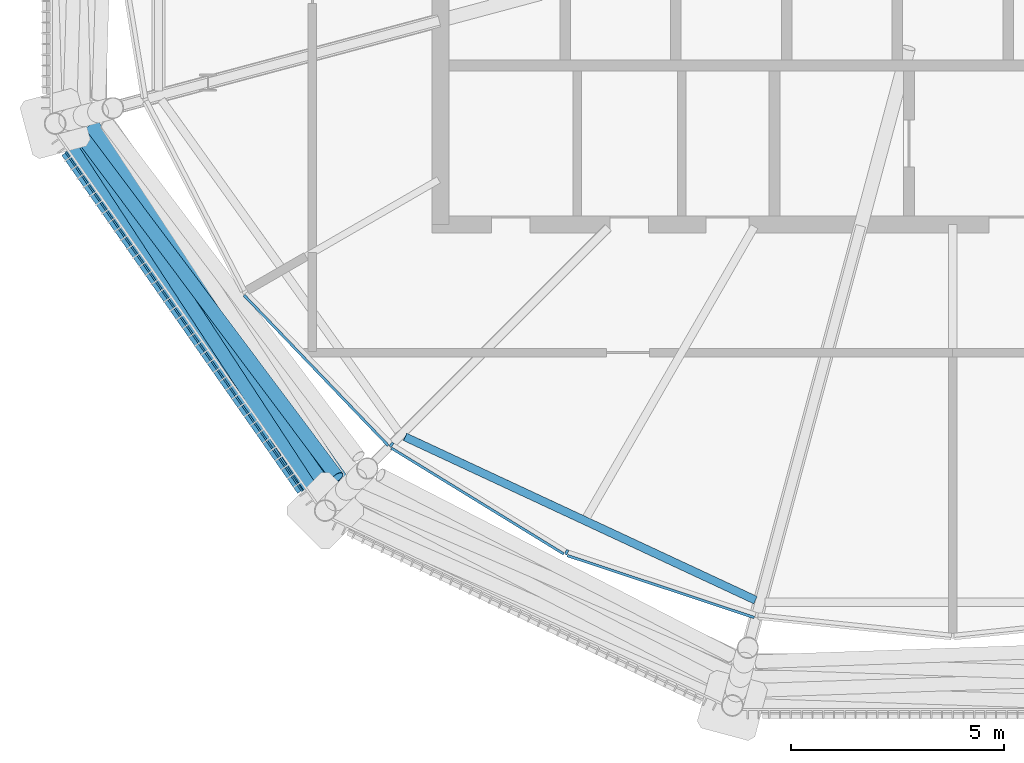
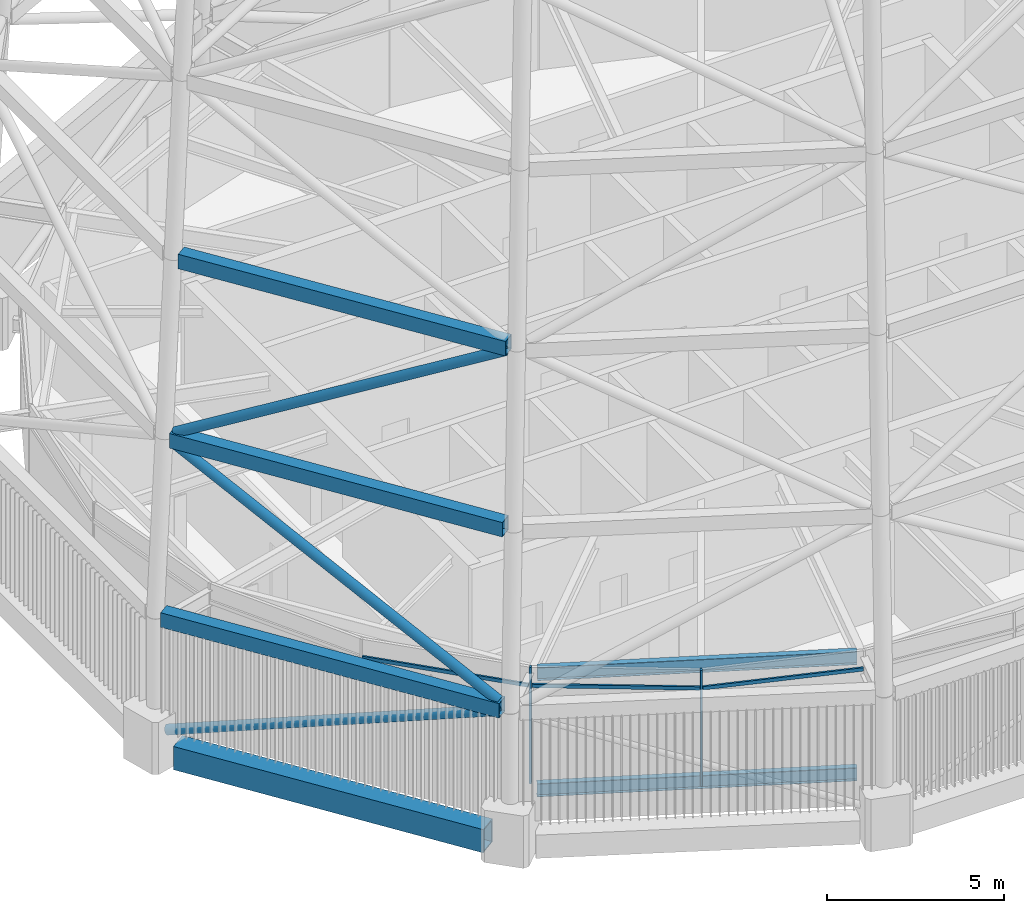
# One storey, part 4 of 71: 8 members, 6 beams, 1 element without a shape of its own.
"""IFC4 building model written with IfcOpenShell, lengths in metres."""

from ifc_helpers import new_model, si_unit, direction, frame, origin, origin_2d, place, context, subcontext, project, spatial, rectangle, hollow_rectangle, hollow_circle, i_section, extrude, material, material_profile, profile_set, type_object, element, aggregate, save


model = new_model("IFC4")

# Units and contexts
model_context = context("Model", 3, precision=1e-05, world=origin(), true_north=direction((0.0, 1.0)))
body_context = subcontext(model_context, "Body", "Model", "MODEL_VIEW")
ifc_project = project(units=[si_unit("LENGTHUNIT", "METRE"), si_unit("AREAUNIT", "SQUARE_METRE"), si_unit("VOLUMEUNIT", "CUBIC_METRE"), si_unit("PLANEANGLEUNIT", "RADIAN"), si_unit("MASSUNIT", "GRAM", prefix="KILO")], contexts=[model_context])

# Site, building, storey
site_placement = place(None, origin())
site = spatial("IfcSite", under=ifc_project, at=site_placement, CompositionType="ELEMENT")
building_placement = place(site_placement, origin())
building = spatial("IfcBuilding", under=site, at=building_placement, Name="Rimbun Link Towers", CompositionType="ELEMENT")
storey_placement = place(building_placement, frame((0.0, 0.0, 267.60009765625)))
storey = spatial("IfcBuildingStorey", under=building, at=storey_placement, Name="L65", CompositionType="ELEMENT", Elevation=267.60009765625)

# Curtain wall, members
ifc_material_1 = material(Name="Aluminium 6063-T6 louvre wall", Category="aluminium")
curtain_wall_type = type_object("IfcCurtainWallType", Name="CW6 plant floor louvre wall", PredefinedType="NOTDEFINED", material=ifc_material_1)
curtain_wall_placement = place(storey_placement, origin())
curtain_wall = element("IfcCurtainWall", 1, at=curtain_wall_placement, inside=storey, type_object=curtain_wall_type, Name="CW6 L65 T1", PredefinedType="NOTDEFINED")
ifc_material_2 = material(Name="Aluminium 6063-T6", Category="aluminium")
ifc_material_profile_1 = material_profile(ifc_material_2, rectangle(XDim=0.1201171875, YDim=0.06005859375, at=origin_2d()), Name="MULLION 60X120")
ifc_profile_set_1 = profile_set([ifc_material_profile_1], Name="Aluminium 6063-T6")
member_type_1 = type_object("IfcMemberType", Name="CW6 mullion 60X120", PredefinedType="MULLION", material=ifc_profile_set_1)
member_1_placement = place(storey_placement, frame((-44.897705078125, -13.15673828125, 0.0), z_axis=(0.0, 0.0, 1.0), x_axis=(-0.627674181492, -0.778476153706, 0.0)))
member_1 = element("IfcMember", 2, at=member_1_placement, type_object=member_type_1, Name="CW6 mullion", PredefinedType="MULLION", context=body_context, shape_type="SweptSolid", body=[
    extrude(rectangle(XDim=0.1201171875, YDim=0.06005859375, at=origin_2d()), origin(), (0.0, 0.0, 1.0), 4.0),
])
member_2_placement = place(storey_placement, frame((-40.794677734375, -15.67626953125, 0.0), z_axis=(0.0, 0.0, 1.0), x_axis=(-0.421708717107, -0.906731359288, 0.0)))
member_2 = element("IfcMember", 3, at=member_2_placement, type_object=member_type_1, Name="CW6 mullion", PredefinedType="MULLION", context=body_context, shape_type="SweptSolid", body=[
    extrude(rectangle(XDim=0.1201171875, YDim=0.06005859375, at=origin_2d()), origin(), (0.0, 0.0, 1.0), 4.0),
])
ifc_material_3 = material(Name="Aluminium 6063-T6", Category="aluminium")
ifc_material_profile_2 = material_profile(ifc_material_3, rectangle(XDim=0.06005859375, YDim=0.1201171875, at=origin_2d()), Name="TRANSOM 60X120")
ifc_profile_set_2 = profile_set([ifc_material_profile_2], Name="Aluminium 6063-T6")
member_type_2 = type_object("IfcMemberType", Name="CW6 transom 60X120", PredefinedType="USERDEFINED", material=ifc_profile_set_2)
member_3_placement = place(storey_placement, frame((-44.974609375, -13.178466796875, 3.39990234375), z_axis=(-0.692070465615, 0.721829945779, 0.0), x_axis=(-0.721829945779, -0.692070465615, 0.0)))
member_3 = element("IfcMember", 4, at=member_3_placement, type_object=member_type_2, Name="CW6 transom", ObjectType="TRANSOM", PredefinedType="USERDEFINED", context=body_context, shape_type="SweptSolid", body=[
    extrude(rectangle(XDim=0.06005859375, YDim=0.1201171875, at=origin_2d()), origin(), (0.0, 0.0, 1.0), 4.88134765625),
])
member_4_placement = place(storey_placement, frame((-40.86279296875, -15.717041015625, 3.39990234375), z_axis=(-0.852181297772, 0.523246629925, 0.0), x_axis=(-0.523246629925, -0.852181297772, 0.0)))
member_4 = element("IfcMember", 5, at=member_4_placement, type_object=member_type_2, Name="CW6 transom", ObjectType="TRANSOM", PredefinedType="USERDEFINED", context=body_context, shape_type="SweptSolid", body=[
    extrude(rectangle(XDim=0.06005859375, YDim=0.1201171875, at=origin_2d()), origin(), (0.0, 0.0, 1.0), 4.740478515625),
])
member_5_placement = place(storey_placement, frame((-36.3994140625, -17.20703125, 3.39990234375), z_axis=(-0.949226572325, 0.314593252299, 0.0), x_axis=(-0.314593252299, -0.949226572325, 0.0)))
member_5 = element("IfcMember", 6, at=member_5_placement, type_object=member_type_2, Name="CW6 transom", ObjectType="TRANSOM", PredefinedType="USERDEFINED", context=body_context, shape_type="SweptSolid", body=[
    extrude(rectangle(XDim=0.06005859375, YDim=0.1201171875, at=origin_2d()), origin(), (0.0, 0.0, 1.0), 4.61669921875),
])
aggregate(curtain_wall, [member_1, member_2, member_3, member_4, member_5])

# Members
ifc_material_4 = material(Name="Steel S355J2H", Category="steel")
ifc_material_profile_3 = material_profile(ifc_material_4, hollow_circle(Radius=0.161865234375, WallThickness=0.011962890625, at=origin_2d()), Name="Crown frame brace CHS 324x12")
ifc_profile_set_3 = profile_set([ifc_material_profile_3], Name="Steel S355J2H")
member_type_3 = type_object("IfcMemberType", Name="Crown frame brace CHS 324x12", PredefinedType="BRACE", material=ifc_profile_set_3)
member_6_placement = place(storey_placement, frame((-52.561767578125, -5.942626953125, 0.135986328125), z_axis=(0.53806035531, -0.771194589931, 0.340220455741), x_axis=(0.820118162204, 0.572194197824, 0.0)))
element("IfcMember", 7, at=member_6_placement, inside=storey, type_object=member_type_3, Name="CROWN FRAME brace T1 1-06", PredefinedType="BRACE", context=body_context, shape_type="SweptSolid", body=[
    extrude(hollow_circle(Radius=0.161865234375, WallThickness=0.011962890625, at=origin_2d()), origin(), (0.0, 0.0, 1.0), 10.95703125),
])
member_7_placement = place(storey_placement, frame((-46.64306640625, -14.40771484375, 4.192138671875), z_axis=(-0.479846739084, 0.733859883922, 0.480829260507), x_axis=(-0.836961633721, -0.54726156788, 0.0)))
element("IfcMember", 8, at=member_7_placement, inside=storey, type_object=member_type_3, Name="CROWN FRAME brace T1 2-06", PredefinedType="BRACE", context=body_context, shape_type="SweptSolid", body=[
    extrude(hollow_circle(Radius=0.161865234375, WallThickness=0.011962890625, at=origin_2d()), origin(), (0.0, 0.0, 1.0), 11.6787109375),
])
member_8_placement = place(storey_placement, frame((-52.229248046875, -5.82373046875, 10.19384765625), z_axis=(0.523984198832, -0.700171670423, 0.484974423359), x_axis=(0.800627769753, 0.599162060131, 0.0)))
element("IfcMember", 9, at=member_8_placement, inside=storey, type_object=member_type_3, Name="CROWN FRAME brace T1 3-06", PredefinedType="BRACE", context=body_context, shape_type="SweptSolid", body=[
    extrude(hollow_circle(Radius=0.161865234375, WallThickness=0.011962890625, at=origin_2d()), origin(), (0.0, 0.0, 1.0), 11.57177734375),
])

# Beams
ifc_material_5 = material(Name="Steel S355J2", Category="steel")
ifc_material_profile_4 = material_profile(ifc_material_5, hollow_rectangle(XDim=0.39990234375, YDim=0.5, WallThickness=0.02001953125, at=origin_2d()), Name="Crown frame ring beam BOX 400x500x20")
ifc_profile_set_4 = profile_set([ifc_material_profile_4], Name="Steel S355J2")
beam_type_1 = type_object("IfcBeamType", Name="Crown frame ring beam BOX 400x500x20", PredefinedType="BEAM", material=ifc_profile_set_4)
beam_1_placement = place(storey_placement, frame((-52.631591796875, -5.842529296875, 4.0), z_axis=(0.572181596024, -0.820126954301, 0.0), x_axis=(0.820126954301, 0.572181596024, 0.0)))
element("IfcBeam", 10, at=beam_1_placement, inside=storey, type_object=beam_type_1, Name="CROWN FRAME ring beam T1 1-06", PredefinedType="BEAM", context=body_context, shape_type="SweptSolid", body=[
    extrude(hollow_rectangle(XDim=0.39990234375, YDim=0.5, WallThickness=0.02001953125, at=origin_2d()), origin(), (0.0, 0.0, 1.0), 10.547607421875),
])
beam_2_placement = place(storey_placement, frame((-52.293212890625, -5.751708984375, 10.0), z_axis=(0.573356446444, -0.819306038865, 0.0), x_axis=(0.819306038865, 0.573356446444, 0.0)))
element("IfcBeam", 11, at=beam_2_placement, inside=storey, type_object=beam_type_1, Name="CROWN FRAME ring beam T1 2-06", PredefinedType="BEAM", context=body_context, shape_type="SweptSolid", body=[
    extrude(hollow_rectangle(XDim=0.39990234375, YDim=0.5, WallThickness=0.02001953125, at=origin_2d()), origin(), (0.0, 0.0, 1.0), 10.3671875),
])
beam_3_placement = place(storey_placement, frame((-51.955078125, -5.660888671875, 16.0), z_axis=(0.574571673852, -0.81845426971, 0.0), x_axis=(0.81845426971, 0.574571673852, 0.0)))
element("IfcBeam", 12, at=beam_3_placement, inside=storey, type_object=beam_type_1, Name="CROWN FRAME ring beam T1 3-06", PredefinedType="BEAM", context=body_context, shape_type="SweptSolid", body=[
    extrude(hollow_rectangle(XDim=0.39990234375, YDim=0.5, WallThickness=0.02001953125, at=origin_2d()), origin(), (0.0, 0.0, 1.0), 10.186767578125),
])
ifc_material_6 = material(Name="Steel S355J2", Category="steel")
ifc_material_profile_5 = material_profile(ifc_material_6, hollow_rectangle(XDim=0.60009765625, YDim=0.800048828125, WallThickness=0.0400390625, at=origin_2d()), Name="Exoskeleton ring girder BOX 600x800x40")
ifc_profile_set_5 = profile_set([ifc_material_profile_5], Name="Steel S355J2")
beam_type_2 = type_object("IfcBeamType", Name="Exoskeleton ring girder BOX 600x800x40", PredefinedType="BEAM", material=ifc_profile_set_5)
beam_4_placement = place(storey_placement, frame((-52.37646484375, -6.208251953125, -0.56005859375), z_axis=(0.57219741623, -0.820115916722, 0.0), x_axis=(0.820115916722, 0.57219741623, 0.0)))
element("IfcBeam", 13, at=beam_4_placement, inside=storey, type_object=beam_type_2, Name="Exoskeleton ring girder L65 06", PredefinedType="BEAM", context=body_context, shape_type="SweptSolid", body=[
    extrude(hollow_rectangle(XDim=0.60009765625, YDim=0.800048828125, WallThickness=0.0400390625, at=origin_2d()), origin(), (0.0, 0.0, 1.0), 9.655517578125),
])
ifc_material_7 = material(Name="Steel S355J2", Category="steel")
ifc_material_profile_6 = material_profile(ifc_material_7, i_section(OverallWidth=0.18994140625, OverallDepth=0.453369140625, WebThickness=0.008544921875, FlangeThickness=0.0126953125, at=origin_2d()), Name="UB 457x191x67")
ifc_profile_set_6 = profile_set([ifc_material_profile_6], Name="Steel S355J2")
beam_type_3 = type_object("IfcBeamType", Name="UB 457x191x67", PredefinedType="BEAM", material=ifc_profile_set_6)
beam_5_placement = place(storey_placement, frame((-44.585693359375, -12.971435546875, -0.4267578125), z_axis=(0.906438968681, -0.42233682773, 0.0), x_axis=(0.42233682773, 0.906438968681, 0.0)))
element("IfcBeam", 14, at=beam_5_placement, inside=storey, type_object=beam_type_3, Name="Edge beam T1 L65 15-17", PredefinedType="BEAM", context=body_context, shape_type="SweptSolid", body=[
    extrude(i_section(OverallWidth=0.18994140625, OverallDepth=0.453369140625, WebThickness=0.008544921875, FlangeThickness=0.0126953125, at=origin_2d()), origin(), (0.0, 0.0, 1.0), 9.0634765625),
])
beam_6_placement = place(storey_placement, frame((-44.576416015625, -12.975830078125, 3.5732421875), z_axis=(0.906442010724, -0.422330298693, 0.0), x_axis=(0.422330298693, 0.906442010724, 0.0)))
element("IfcBeam", 15, at=beam_6_placement, inside=storey, type_object=beam_type_3, Name="Edge beam T1 L65 15-17", PredefinedType="BEAM", context=body_context, shape_type="SweptSolid", body=[
    extrude(i_section(OverallWidth=0.18994140625, OverallDepth=0.453369140625, WebThickness=0.008544921875, FlangeThickness=0.0126953125, at=origin_2d()), origin(), (0.0, 0.0, 1.0), 9.05322265625),
])

save(model, "model.ifc")
